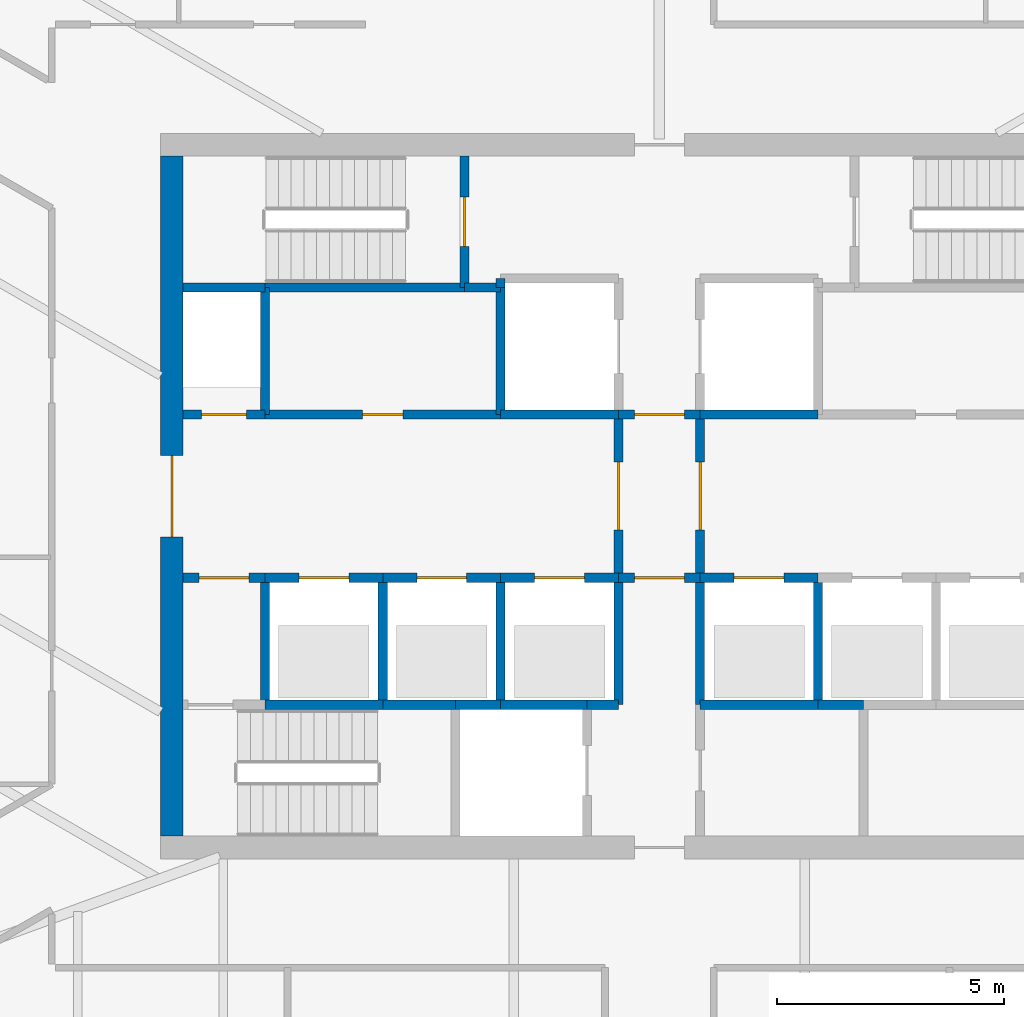
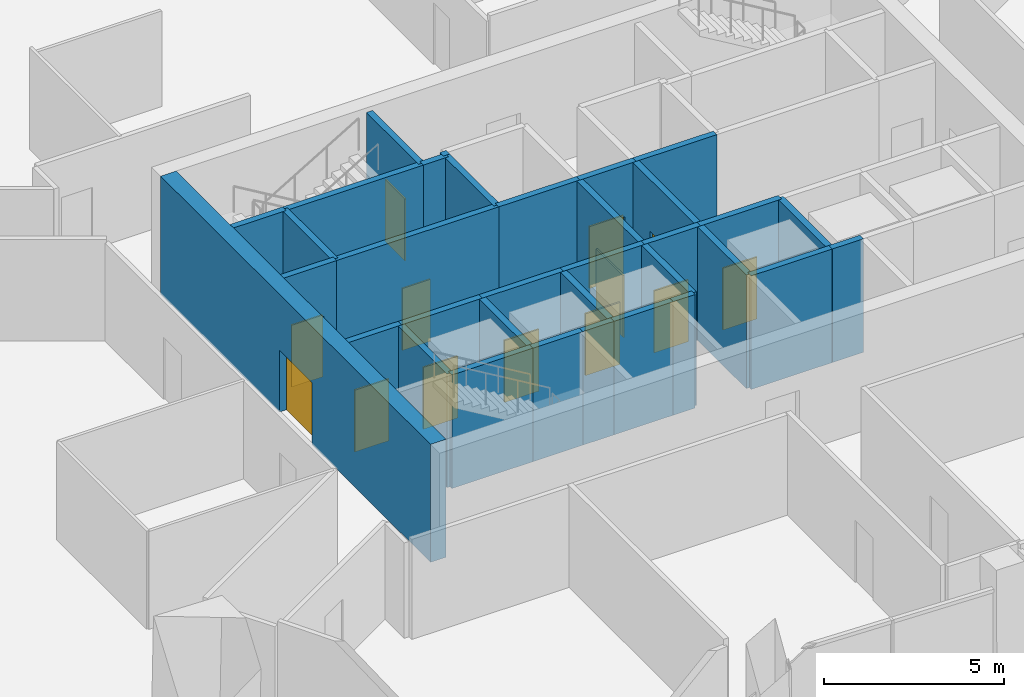
# One storey, part 9 of 15: 34 walls, 13 doors, 13 openings.
"""IFC4 building model written with IfcOpenShell, lengths in metres."""

import ifcopenshell
import ifcopenshell.guid

model = None  # the IFC model being written
_history = None  # IfcOwnerHistory: only IFC2X3 demands one
_inside = {}  # id of a spatial element -> (the spatial element, [elements in it])
_under = {}  # id of a project, library or spatial element -> (it, [spatial elements below it])
_declared = {}  # id of a project -> (the project, [libraries it declares])
_typed = {}  # id of a type object -> (the type object, [elements of that type])
_made_of = {}  # id of a material, layer set ... -> (it, [elements and type objects made of it])


def new_model(schema):
    """Start an empty IFC model of exactly this schema.

    Asked for "IFC4X3", IfcOpenShell would pick the latest addendum, in which some entities
    have other attributes; the version numbers below select the first issue.
    IFC2X3 requires an IfcOwnerHistory on every rooted entity: one is made here for all.
    """
    global model, _history
    if schema == "IFC4X3":
        model = ifcopenshell.file(schema_version=(4, 3, 0, 0))
    else:
        model = ifcopenshell.file(schema=schema)
    _inside.clear()
    _under.clear()
    _declared.clear()
    _typed.clear()
    _made_of.clear()
    _history = None
    if model.schema == "IFC2X3":
        org = make("IfcOrganization", Name="unknown")
        user = make(
            "IfcPersonAndOrganization",
            ThePerson=make("IfcPerson", FamilyName="unknown"),
            TheOrganization=org,
        )
        app = make(
            "IfcApplication",
            ApplicationDeveloper=org,
            Version="unknown",
            ApplicationFullName="unknown",
            ApplicationIdentifier="unknown",
        )
        _history = make(
            "IfcOwnerHistory",
            OwningUser=user,
            OwningApplication=app,
            ChangeAction="ADDED",
            CreationDate=0,
        )
    return model


def make(cls, **values):
    """One entity of the class cls with the attributes given. An attribute that is None is left unset."""
    return model.create_entity(
        cls, **{name: value for name, value in values.items() if value is not None}
    )


def rooted(cls, **values):
    """An entity with a GlobalId (a new one), such as an element, a storey or a relation."""
    return make(cls, GlobalId=ifcopenshell.guid.new(), OwnerHistory=_history, **values)


def si_unit(unit_type, name, prefix=None):
    """IfcSIUnit, for example si_unit("LENGTHUNIT", "METRE", prefix="MILLI")."""
    return make("IfcSIUnit", UnitType=unit_type, Prefix=prefix, Name=name)


def assignment(units):
    """IfcUnitAssignment: the units of a project."""
    return None if units is None else make("IfcUnitAssignment", Units=units)


def point(xyz):
    """IfcCartesianPoint."""
    return None if xyz is None else make("IfcCartesianPoint", Coordinates=xyz)


def direction(xyz):
    """IfcDirection."""
    return None if xyz is None else make("IfcDirection", DirectionRatios=xyz)


def frame(location, z_axis=None, x_axis=None):
    """IfcAxis2Placement3D, a coordinate frame: its origin and axes. An axis left out is left unset."""
    return make(
        "IfcAxis2Placement3D",
        Location=point(location),
        Axis=direction(z_axis),
        RefDirection=direction(x_axis),
    )


def frame_2d(location, x_axis=None):
    """IfcAxis2Placement2D, a coordinate frame in the plane: its origin and x axis."""
    return make(
        "IfcAxis2Placement2D", Location=point(location), RefDirection=direction(x_axis)
    )


def origin():
    """The frame at (0, 0, 0) with its axes left unset."""
    return frame((0.0, 0.0, 0.0))


def place(relative_to, where):
    """IfcLocalPlacement: puts the frame where relative to a parent placement (None: the world)."""
    return make(
        "IfcLocalPlacement", PlacementRelTo=relative_to, RelativePlacement=where
    )


def context(
    kind, dimensions, precision=None, world=None, true_north=None, identifier=None
):
    """IfcGeometricRepresentationContext, for example the 3D "Model" context."""
    return make(
        "IfcGeometricRepresentationContext",
        ContextIdentifier=identifier,
        ContextType=kind,
        CoordinateSpaceDimension=dimensions,
        Precision=precision,
        WorldCoordinateSystem=world,
        TrueNorth=true_north,
    )


def subcontext(parent, identifier, kind, view, scale=None):
    """IfcGeometricRepresentationSubContext, for example "Body" below "Model"."""
    return make(
        "IfcGeometricRepresentationSubContext",
        ContextIdentifier=identifier,
        ContextType=kind,
        ParentContext=parent,
        TargetScale=scale,
        TargetView=view,
    )


def project(units=None, contexts=None):
    """IfcProject with its units and contexts."""
    return rooted(
        "IfcProject",
        Name="project",
        RepresentationContexts=contexts,
        UnitsInContext=assignment(units),
    )


def spatial(cls, under=None, at=None, **own):
    """A site, building, storey or space (cls), placed at a placement, below another one or the project."""
    s = rooted(cls, ObjectPlacement=at, **own)
    if under is not None:
        _under.setdefault(under.id(), (under, []))[1].append(s)
    return s


def profile(cls, at=None, kind="AREA", **sizes):
    """A parametric profile (cls). Its sizes go by their IFC names, for example OverallWidth=200.0."""
    return make(cls, ProfileType=kind, Position=at, **sizes)


def rectangle(**sizes):
    """IfcRectangleProfileDef."""
    return profile("IfcRectangleProfileDef", **sizes)


def extrude(swept, where, along, depth):
    """IfcExtrudedAreaSolid: the profile swept, set in the frame where, extruded along a direction by depth."""
    return make(
        "IfcExtrudedAreaSolid",
        SweptArea=swept,
        Position=where,
        ExtrudedDirection=direction(along),
        Depth=depth,
    )


def shape(context_of_items, identifier, shape_type, items):
    """IfcShapeRepresentation: the items that make up one representation, for example the "Body"."""
    return make(
        "IfcShapeRepresentation",
        ContextOfItems=context_of_items,
        RepresentationIdentifier=identifier,
        RepresentationType=shape_type,
        Items=items,
    )


def material(Name=None, Category=None):
    """IfcMaterial."""
    return make("IfcMaterial", Name=Name, Category=Category)


def layer(
    of_material, thickness, ventilated=None, Name=None, Category=None, Priority=None
):
    """IfcMaterialLayer: one layer of a wall or slab, of a material (None: an air gap)."""
    return make(
        "IfcMaterialLayer",
        Material=of_material,
        LayerThickness=thickness,
        IsVentilated=ventilated,
        Name=Name,
        Category=Category,
        Priority=Priority,
    )


def layer_set(layers, Name=None):
    """IfcMaterialLayerSet."""
    return make("IfcMaterialLayerSet", MaterialLayers=layers, LayerSetName=Name)


def made_of(thing, what):
    """Note that an element or type object is made of a material, layer set ...; save() writes the relation."""
    if what is not None:
        _made_of.setdefault(what.id(), (what, []))[1].append(thing)
    return thing


def type_object(cls, material=None, **own):
    """A type object (cls), such as IfcWallType, which elements share."""
    return made_of(rooted(cls, **own), material)


def element(
    cls,
    number,
    at=None,
    inside=None,
    cuts=None,
    type_object=None,
    material=None,
    context=None,
    identifier="Body",
    shape_type=None,
    held_by="IfcProductDefinitionShape",
    body=None,
    shapes=None,
    **own,
):
    """One element of the class cls, such as IfcWall. Its Tag is "e" and its number.

    at: its placement. inside: the storey or other place that contains it. cuts: it is an
    opening in that element (IfcRelVoidsElement). A single representation is given by context,
    identifier, shape_type and body (its items); several are given by shapes. held_by: the class
    of the entity that holds the representations. save() writes the other relations.
    """
    e = rooted(cls, Tag="e%d" % number, ObjectPlacement=at, **own)
    if body is not None:
        shapes = [shape(context, identifier, shape_type, body)]
    if shapes is not None:
        e.Representation = make(held_by, Representations=shapes)
    if inside is not None:
        _inside.setdefault(inside.id(), (inside, []))[1].append(e)
    if cuts is not None:
        rooted(
            "IfcRelVoidsElement", RelatingBuildingElement=cuts, RelatedOpeningElement=e
        )
    if type_object is not None:
        _typed.setdefault(type_object.id(), (type_object, []))[1].append(e)
    return made_of(e, material)


def fill(opening, filler):
    """IfcRelFillsElement: the door or window that sits in an opening."""
    return rooted(
        "IfcRelFillsElement",
        RelatingOpeningElement=opening,
        RelatedBuildingElement=filler,
    )


def aggregate(whole, parts):
    """IfcRelAggregates: a whole, such as a stair, and the parts it consists of."""
    return rooted("IfcRelAggregates", RelatingObject=whole, RelatedObjects=parts)


def save(model, path):
    """Write the relations noted so far, then the file.

    IfcRelAggregates (storeys below a building ...), IfcRelContainedInSpatialStructure (elements
    in a storey), IfcRelDefinesByType, IfcRelAssociatesMaterial and IfcRelDeclares: one each for
    every whole, place, type object, material and project.
    """
    for whole, parts in _under.values():
        aggregate(whole, parts)
    for where, things in _inside.values():
        rooted(
            "IfcRelContainedInSpatialStructure",
            RelatedElements=things,
            RelatingStructure=where,
        )
    for kind, things in _typed.values():
        rooted("IfcRelDefinesByType", RelatedObjects=things, RelatingType=kind)
    for what, things in _made_of.values():
        rooted("IfcRelAssociatesMaterial", RelatedObjects=things, RelatingMaterial=what)
    for by, libraries in _declared.values():
        rooted("IfcRelDeclares", RelatingContext=by, RelatedDefinitions=libraries)
    model.write(path)


model = new_model("IFC4")

# Units and contexts
model_context = context("Model", 3, precision=1e-05, world=origin(), true_north=direction((0.0, 1.0)))
body_context = subcontext(model_context, "Body", "Model", "MODEL_VIEW")
ifc_project = project(units=[si_unit("LENGTHUNIT", "METRE"), si_unit("AREAUNIT", "SQUARE_METRE"), si_unit("VOLUMEUNIT", "CUBIC_METRE"), si_unit("PLANEANGLEUNIT", "RADIAN"), si_unit("MASSUNIT", "GRAM", prefix="KILO")], contexts=[model_context])

# Site, building, storey
site_placement = place(None, origin())
site = spatial("IfcSite", under=ifc_project, at=site_placement, CompositionType="ELEMENT")
building_placement = place(site_placement, origin())
building = spatial("IfcBuilding", under=site, at=building_placement, Name="Sierra Prisma Convention Tower", CompositionType="ELEMENT")
storey_placement = place(building_placement, frame((0.0, 0.0, 283.0)))
storey = spatial("IfcBuildingStorey", under=building, at=storey_placement, Name="L64", CompositionType="ELEMENT", Elevation=283.0)

# Wall, opening, door
ifc_material_1 = material(Name="Concrete C30/37", Category="concrete")
ifc_layer_1 = layer(ifc_material_1, 0.199951171875)
ifc_layer_set_1 = layer_set([ifc_layer_1], Name="Core wall RC 200 C30/37")
wall_type_1 = type_object("IfcWallType", Name="Core wall RC 200 C30/37", PredefinedType="SOLIDWALL", material=ifc_layer_set_1)
wall_1_placement = place(storey_placement, frame((-10.5, -1.800048828125, 0.0), z_axis=(0.0, 0.0, 1.0), x_axis=(1.0, 0.0, 0.0)))
wall_1 = element("IfcWall", 1, at=wall_1_placement, inside=storey, type_object=wall_type_1, Name="Core wall L64 2", PredefinedType="SOLIDWALL", context=body_context, shape_type="SweptSolid", body=[
    extrude(rectangle(XDim=1.800048828125, YDim=0.199951171875, at=frame_2d((0.89990234375, 0.0))), origin(), (0.0, 0.0, 1.0), 3.85009765625),
])
opening_1_placement = place(wall_1_placement, frame((0.35009765625, 0.0, 0.0)))
opening_1 = element("IfcOpeningElement", 2, at=opening_1_placement, cuts=wall_1, Name="Opening L64-D012", PredefinedType="OPENING", context=body_context, shape_type="SweptSolid", body=[
    extrude(rectangle(XDim=1.10009765625, YDim=2.10009765625, at=frame_2d((0.550048828125, 1.050048828125))), frame((0.0, 0.10009765625, 0.0), z_axis=(0.0, -1.0, 0.0), x_axis=(1.0, 0.0, 0.0)), (0.0, 0.0, 1.0), 0.199951171875),
])
ifc_material_2 = material(Name="Steel fire door leaf", Category="steel")
door_type_1 = type_object("IfcDoorType", Name="Door 1100x2100 FD90S", OperationType="SINGLE_SWING_LEFT", PredefinedType="DOOR", material=ifc_material_2)
door_1_placement = place(opening_1_placement, origin())
door_1 = element("IfcDoor", 3, at=door_1_placement, inside=storey, type_object=door_type_1, Name="Door L64 27", OperationType="SINGLE_SWING_LEFT", OverallHeight=2.10009765625, OverallWidth=1.10009765625, PredefinedType="DOOR", context=body_context, shape_type="SweptSolid", body=[
    extrude(rectangle(XDim=1.10009765625, YDim=2.10009765625, at=frame_2d((0.550048828125, 1.050048828125))), frame((0.0, 0.02490234375, 0.0), z_axis=(0.0, -1.0, 0.0), x_axis=(1.0, 0.0, 0.0)), (0.0, 0.0, 1.0), 0.050048828125),
])
fill(opening_1, door_1)

wall_2_placement = place(storey_placement, frame((-8.699951171875, 1.800048828125, 0.0), z_axis=(0.0, 0.0, 1.0), x_axis=(-1.0, 0.0, 0.0)))
wall_2 = element("IfcWall", 4, at=wall_2_placement, inside=storey, type_object=wall_type_1, Name="Core wall L64 3", PredefinedType="SOLIDWALL", context=body_context, shape_type="SweptSolid", body=[
    extrude(rectangle(XDim=1.800048828125, YDim=0.199951171875, at=frame_2d((0.89990234375, 0.0))), origin(), (0.0, 0.0, 1.0), 3.85009765625),
])
opening_2_placement = place(wall_2_placement, frame((0.39990234375, 0.0, 0.0)))
opening_2 = element("IfcOpeningElement", 5, at=opening_2_placement, cuts=wall_2, Name="Opening L64-D015", PredefinedType="OPENING", context=body_context, shape_type="SweptSolid", body=[
    extrude(rectangle(XDim=1.0, YDim=2.10009765625, at=frame_2d((0.5, 1.050048828125))), frame((0.0, 0.10009765625, 0.0), z_axis=(0.0, -1.0, 0.0), x_axis=(1.0, 0.0, 0.0)), (0.0, 0.0, 1.0), 0.199951171875),
])
ifc_material_3 = material(Name="Steel fire door leaf", Category="steel")
door_type_2 = type_object("IfcDoorType", Name="Door 1000x2100 FD60S", OperationType="SINGLE_SWING_LEFT", PredefinedType="DOOR", material=ifc_material_3)
door_2_placement = place(opening_2_placement, origin())
door_2 = element("IfcDoor", 6, at=door_2_placement, inside=storey, type_object=door_type_2, Name="Door L64 30", OperationType="SINGLE_SWING_RIGHT", OverallHeight=2.10009765625, OverallWidth=1.0, PredefinedType="DOOR", context=body_context, shape_type="SweptSolid", body=[
    extrude(rectangle(XDim=1.0, YDim=2.10009765625, at=frame_2d((0.5, 1.050048828125))), frame((0.0, 0.02490234375, 0.0), z_axis=(0.0, -1.0, 0.0), x_axis=(1.0, 0.0, 0.0)), (0.0, 0.0, 1.0), 0.050048828125),
])
fill(opening_2, door_2)

# Walls
wall_3_placement = place(storey_placement, frame((-8.699951171875, 4.60009765625, 0.0), z_axis=(0.0, 0.0, 1.0), x_axis=(-1.0, 0.0, 0.0)))
element("IfcWall", 7, at=wall_3_placement, inside=storey, type_object=wall_type_1, Name="Core wall L64 4", PredefinedType="SOLIDWALL", context=body_context, shape_type="SweptSolid", body=[
    extrude(rectangle(XDim=1.800048828125, YDim=0.199951171875, at=frame_2d((0.89990234375, 0.0))), origin(), (0.0, 0.0, 1.0), 3.85009765625),
])
wall_4_placement = place(storey_placement, frame((-8.699951171875, -4.60009765625, 0.0), z_axis=(0.0, 0.0, 1.0), x_axis=(1.0, 0.0, 0.0)))
element("IfcWall", 8, at=wall_4_placement, inside=storey, type_object=wall_type_1, Name="Core wall L64 5", PredefinedType="SOLIDWALL", context=body_context, shape_type="SweptSolid", body=[
    extrude(rectangle(XDim=2.599853515625, YDim=0.199951171875, at=frame_2d((1.2998046875, 0.0))), origin(), (0.0, 0.0, 1.0), 3.85009765625),
])
wall_5_placement = place(storey_placement, frame((-8.699951171875, -4.60009765625, 0.0), z_axis=(0.0, 0.0, 1.0), x_axis=(0.0, 1.0, 0.0)))
element("IfcWall", 9, at=wall_5_placement, inside=storey, type_object=wall_type_1, Name="Core wall L64 6", PredefinedType="SOLIDWALL", context=body_context, shape_type="SweptSolid", body=[
    extrude(rectangle(XDim=2.800048828125, YDim=0.199951171875, at=frame_2d((1.39990234375, 0.0))), origin(), (0.0, 0.0, 1.0), 3.85009765625),
])

# Wall, opening, door
wall_6_placement = place(storey_placement, frame((-8.699951171875, -1.800048828125, 0.0), z_axis=(0.0, 0.0, 1.0), x_axis=(1.0, 0.0, 0.0)))
wall_6 = element("IfcWall", 10, at=wall_6_placement, inside=storey, type_object=wall_type_1, Name="Core wall L64 7", PredefinedType="SOLIDWALL", context=body_context, shape_type="SweptSolid", body=[
    extrude(rectangle(XDim=2.599853515625, YDim=0.199951171875, at=frame_2d((1.2998046875, 0.0))), origin(), (0.0, 0.0, 1.0), 3.85009765625),
])
opening_3_placement = place(wall_6_placement, frame((0.75, 0.0, 0.0)))
opening_3 = element("IfcOpeningElement", 11, at=opening_3_placement, cuts=wall_6, Name="Opening L64-D001", PredefinedType="OPENING", context=body_context, shape_type="SweptSolid", body=[
    extrude(rectangle(XDim=1.10009765625, YDim=2.10009765625, at=frame_2d((0.550048828125, 1.050048828125))), frame((0.0, 0.10009765625, 0.0), z_axis=(0.0, -1.0, 0.0), x_axis=(1.0, 0.0, 0.0)), (0.0, 0.0, 1.0), 0.199951171875),
])
ifc_material_4 = material(Name="Steel fire door leaf", Category="steel")
door_type_3 = type_object("IfcDoorType", Name="Door 1100x2100 EI 90 sliding lift landing", OperationType="SLIDING_TO_LEFT", PredefinedType="DOOR", material=ifc_material_4)
door_3_placement = place(opening_3_placement, origin())
door_3 = element("IfcDoor", 12, at=door_3_placement, inside=storey, type_object=door_type_3, Name="Door L64 16", OperationType="SLIDING_TO_LEFT", OverallHeight=2.10009765625, OverallWidth=1.10009765625, PredefinedType="DOOR", context=body_context, shape_type="SweptSolid", body=[
    extrude(rectangle(XDim=1.10009765625, YDim=2.10009765625, at=frame_2d((0.550048828125, 1.050048828125))), frame((0.0, 0.02490234375, 0.0), z_axis=(0.0, -1.0, 0.0), x_axis=(1.0, 0.0, 0.0)), (0.0, 0.0, 1.0), 0.050048828125),
])
fill(opening_3, door_3)

wall_7_placement = place(storey_placement, frame((-8.699951171875, 1.800048828125, 0.0), z_axis=(0.0, 0.0, 1.0), x_axis=(1.0, 0.0, 0.0)))
wall_7 = element("IfcWall", 13, at=wall_7_placement, inside=storey, type_object=wall_type_1, Name="Core wall L64 8", PredefinedType="SOLIDWALL", context=body_context, shape_type="SweptSolid", body=[
    extrude(rectangle(XDim=5.199951171875, YDim=0.199951171875, at=frame_2d((2.60009765625, 0.0))), origin(), (0.0, 0.0, 1.0), 3.85009765625),
])
opening_4_placement = place(wall_7_placement, frame((2.14990234375, 0.0, 0.0)))
opening_4 = element("IfcOpeningElement", 14, at=opening_4_placement, cuts=wall_7, Name="Opening L64-D021", PredefinedType="OPENING", context=body_context, shape_type="SweptSolid", body=[
    extrude(rectangle(XDim=0.89990234375, YDim=2.10009765625, at=frame_2d((0.449951171875, 1.050048828125))), frame((0.0, 0.10009765625, 0.0), z_axis=(0.0, -1.0, 0.0), x_axis=(1.0, 0.0, 0.0)), (0.0, 0.0, 1.0), 0.199951171875),
])
ifc_material_5 = material(Name="Steel fire door leaf", Category="steel")
door_type_4 = type_object("IfcDoorType", Name="Door 900x2100 FD30S", OperationType="SINGLE_SWING_LEFT", PredefinedType="DOOR", material=ifc_material_5)
door_4_placement = place(opening_4_placement, origin())
door_4 = element("IfcDoor", 15, at=door_4_placement, inside=storey, type_object=door_type_4, Name="Door L64 36", OperationType="SINGLE_SWING_RIGHT", OverallHeight=2.10009765625, OverallWidth=0.89990234375, PredefinedType="DOOR", context=body_context, shape_type="SweptSolid", body=[
    extrude(rectangle(XDim=0.89990234375, YDim=2.10009765625, at=frame_2d((0.449951171875, 1.050048828125))), frame((0.0, 0.02490234375, 0.0), z_axis=(0.0, -1.0, 0.0), x_axis=(1.0, 0.0, 0.0)), (0.0, 0.0, 1.0), 0.050048828125),
])
fill(opening_4, door_4)

# Walls
wall_8_placement = place(storey_placement, frame((-8.699951171875, 4.60009765625, 0.0), z_axis=(0.0, 0.0, 1.0), x_axis=(0.0, -1.0, 0.0)))
element("IfcWall", 16, at=wall_8_placement, inside=storey, type_object=wall_type_1, Name="Core wall L64 9", PredefinedType="SOLIDWALL", context=body_context, shape_type="SweptSolid", body=[
    extrude(rectangle(XDim=2.800048828125, YDim=0.199951171875, at=frame_2d((1.39990234375, 0.0))), origin(), (0.0, 0.0, 1.0), 3.85009765625),
])
wall_9_placement = place(storey_placement, frame((-4.300048828125, 4.60009765625, 0.0), z_axis=(0.0, 0.0, 1.0), x_axis=(-1.0, 0.0, 0.0)))
element("IfcWall", 17, at=wall_9_placement, inside=storey, type_object=wall_type_1, Name="Core wall L64 10", PredefinedType="SOLIDWALL", context=body_context, shape_type="SweptSolid", body=[
    extrude(rectangle(XDim=4.39990234375, YDim=0.199951171875, at=frame_2d((2.199951171875, 0.0))), origin(), (0.0, 0.0, 1.0), 3.85009765625),
])
wall_10_placement = place(storey_placement, frame((-6.10009765625, -4.60009765625, 0.0), z_axis=(0.0, 0.0, 1.0), x_axis=(1.0, 0.0, 0.0)))
element("IfcWall", 18, at=wall_10_placement, inside=storey, type_object=wall_type_1, Name="Core wall L64 11", PredefinedType="SOLIDWALL", context=body_context, shape_type="SweptSolid", body=[
    extrude(rectangle(XDim=1.60009765625, YDim=0.199951171875, at=frame_2d((0.800048828125, 0.0))), origin(), (0.0, 0.0, 1.0), 3.85009765625),
])
wall_11_placement = place(storey_placement, frame((-6.10009765625, -4.60009765625, 0.0), z_axis=(0.0, 0.0, 1.0), x_axis=(0.0, 1.0, 0.0)))
element("IfcWall", 19, at=wall_11_placement, inside=storey, type_object=wall_type_1, Name="Core wall L64 12", PredefinedType="SOLIDWALL", context=body_context, shape_type="SweptSolid", body=[
    extrude(rectangle(XDim=2.800048828125, YDim=0.199951171875, at=frame_2d((1.39990234375, 0.0))), origin(), (0.0, 0.0, 1.0), 3.85009765625),
])

# Wall, opening, door
wall_12_placement = place(storey_placement, frame((-6.10009765625, -1.800048828125, 0.0), z_axis=(0.0, 0.0, 1.0), x_axis=(1.0, 0.0, 0.0)))
wall_12 = element("IfcWall", 20, at=wall_12_placement, inside=storey, type_object=wall_type_1, Name="Core wall L64 13", PredefinedType="SOLIDWALL", context=body_context, shape_type="SweptSolid", body=[
    extrude(rectangle(XDim=2.60009765625, YDim=0.199951171875, at=frame_2d((1.300048828125, 0.0))), origin(), (0.0, 0.0, 1.0), 3.85009765625),
])
opening_5_placement = place(wall_12_placement, frame((0.75, 0.0, 0.0)))
opening_5 = element("IfcOpeningElement", 21, at=opening_5_placement, cuts=wall_12, Name="Opening L64-D002", PredefinedType="OPENING", context=body_context, shape_type="SweptSolid", body=[
    extrude(rectangle(XDim=1.10009765625, YDim=2.10009765625, at=frame_2d((0.550048828125, 1.050048828125))), frame((0.0, 0.10009765625, 0.0), z_axis=(0.0, -1.0, 0.0), x_axis=(1.0, 0.0, 0.0)), (0.0, 0.0, 1.0), 0.199951171875),
])
door_5_placement = place(opening_5_placement, origin())
door_5 = element("IfcDoor", 22, at=door_5_placement, inside=storey, type_object=door_type_3, Name="Door L64 17", OperationType="SLIDING_TO_LEFT", OverallHeight=2.10009765625, OverallWidth=1.10009765625, PredefinedType="DOOR", context=body_context, shape_type="SweptSolid", body=[
    extrude(rectangle(XDim=1.10009765625, YDim=2.10009765625, at=frame_2d((0.550048828125, 1.050048828125))), frame((0.0, 0.02490234375, 0.0), z_axis=(0.0, -1.0, 0.0), x_axis=(1.0, 0.0, 0.0)), (0.0, 0.0, 1.0), 0.050048828125),
])
fill(opening_5, door_5)

# Walls
wall_13_placement = place(storey_placement, frame((-4.5, -4.60009765625, 0.0), z_axis=(0.0, 0.0, 1.0), x_axis=(1.0, 0.0, 0.0)))
element("IfcWall", 23, at=wall_13_placement, inside=storey, type_object=wall_type_1, Name="Core wall L64 15", PredefinedType="SOLIDWALL", context=body_context, shape_type="SweptSolid", body=[
    extrude(rectangle(XDim=1.0, YDim=0.199951171875, at=frame_2d((0.5, 0.0))), origin(), (0.0, 0.0, 1.0), 3.85009765625),
])
wall_14_placement = place(storey_placement, frame((-3.5, 4.60009765625, 0.0), z_axis=(0.0, 0.0, 1.0), x_axis=(-1.0, 0.0, 0.0)))
element("IfcWall", 24, at=wall_14_placement, inside=storey, type_object=wall_type_1, Name="Core wall L64 16", PredefinedType="SOLIDWALL", context=body_context, shape_type="SweptSolid", body=[
    extrude(rectangle(XDim=0.800048828125, YDim=0.199951171875, at=frame_2d((0.39990234375, 0.0))), origin(), (0.0, 0.0, 1.0), 3.85009765625),
])

# Wall, opening, door
wall_15_placement = place(storey_placement, frame((-4.300048828125, 4.60009765625, 0.0), z_axis=(0.0, 0.0, 1.0), x_axis=(0.0, 1.0, 0.0)))
wall_15 = element("IfcWall", 25, at=wall_15_placement, inside=storey, type_object=wall_type_1, Name="Core wall L64 17", PredefinedType="SOLIDWALL", context=body_context, shape_type="SweptSolid", body=[
    extrude(rectangle(XDim=2.89990234375, YDim=0.199951171875, at=frame_2d((1.449951171875, 0.0))), origin(), (0.0, 0.0, 1.0), 3.85009765625),
])
opening_6_placement = place(wall_15_placement, frame((0.89990234375, 0.0, 0.0)))
opening_6 = element("IfcOpeningElement", 26, at=opening_6_placement, cuts=wall_15, Name="Opening L64-D018", PredefinedType="OPENING", context=body_context, shape_type="SweptSolid", body=[
    extrude(rectangle(XDim=1.10009765625, YDim=2.10009765625, at=frame_2d((0.550048828125, 1.050048828125))), frame((0.0, 0.10009765625, 0.0), z_axis=(0.0, -1.0, 0.0), x_axis=(1.0, 0.0, 0.0)), (0.0, 0.0, 1.0), 0.199951171875),
])
door_6_placement = place(opening_6_placement, origin())
door_6 = element("IfcDoor", 27, at=door_6_placement, inside=storey, type_object=door_type_1, Name="Door L64 33", OperationType="SINGLE_SWING_RIGHT", OverallHeight=2.10009765625, OverallWidth=1.10009765625, PredefinedType="DOOR", context=body_context, shape_type="SweptSolid", body=[
    extrude(rectangle(XDim=1.10009765625, YDim=2.10009765625, at=frame_2d((0.550048828125, 1.050048828125))), frame((0.0, 0.02490234375, 0.0), z_axis=(0.0, -1.0, 0.0), x_axis=(1.0, 0.0, 0.0)), (0.0, 0.0, 1.0), 0.050048828125),
])
fill(opening_6, door_6)

# Walls
wall_16_placement = place(storey_placement, frame((-3.5, -4.60009765625, 0.0), z_axis=(0.0, 0.0, 1.0), x_axis=(1.0, 0.0, 0.0)))
element("IfcWall", 28, at=wall_16_placement, inside=storey, type_object=wall_type_1, Name="Core wall L64 18", PredefinedType="SOLIDWALL", context=body_context, shape_type="SweptSolid", body=[
    extrude(rectangle(XDim=1.89990234375, YDim=0.199951171875, at=frame_2d((0.949951171875, 0.0))), origin(), (0.0, 0.0, 1.0), 3.85009765625),
])
wall_17_placement = place(storey_placement, frame((-3.5, -4.60009765625, 0.0), z_axis=(0.0, 0.0, 1.0), x_axis=(0.0, 1.0, 0.0)))
element("IfcWall", 29, at=wall_17_placement, inside=storey, type_object=wall_type_1, Name="Core wall L64 19", PredefinedType="SOLIDWALL", context=body_context, shape_type="SweptSolid", body=[
    extrude(rectangle(XDim=2.800048828125, YDim=0.199951171875, at=frame_2d((1.39990234375, 0.0))), origin(), (0.0, 0.0, 1.0), 3.85009765625),
])

# Wall, opening, door
wall_18_placement = place(storey_placement, frame((-3.5, -1.800048828125, 0.0), z_axis=(0.0, 0.0, 1.0), x_axis=(1.0, 0.0, 0.0)))
wall_18 = element("IfcWall", 30, at=wall_18_placement, inside=storey, type_object=wall_type_1, Name="Core wall L64 20", PredefinedType="SOLIDWALL", context=body_context, shape_type="SweptSolid", body=[
    extrude(rectangle(XDim=2.60009765625, YDim=0.199951171875, at=frame_2d((1.300048828125, 0.0))), origin(), (0.0, 0.0, 1.0), 3.85009765625),
])
opening_7_placement = place(wall_18_placement, frame((0.75, 0.0, 0.0)))
opening_7 = element("IfcOpeningElement", 31, at=opening_7_placement, cuts=wall_18, Name="Opening L64-D003", PredefinedType="OPENING", context=body_context, shape_type="SweptSolid", body=[
    extrude(rectangle(XDim=1.10009765625, YDim=2.10009765625, at=frame_2d((0.550048828125, 1.050048828125))), frame((0.0, 0.10009765625, 0.0), z_axis=(0.0, -1.0, 0.0), x_axis=(1.0, 0.0, 0.0)), (0.0, 0.0, 1.0), 0.199951171875),
])
door_7_placement = place(opening_7_placement, origin())
door_7 = element("IfcDoor", 32, at=door_7_placement, inside=storey, type_object=door_type_3, Name="Door L64 18", OperationType="SLIDING_TO_LEFT", OverallHeight=2.10009765625, OverallWidth=1.10009765625, PredefinedType="DOOR", context=body_context, shape_type="SweptSolid", body=[
    extrude(rectangle(XDim=1.10009765625, YDim=2.10009765625, at=frame_2d((0.550048828125, 1.050048828125))), frame((0.0, 0.02490234375, 0.0), z_axis=(0.0, -1.0, 0.0), x_axis=(1.0, 0.0, 0.0)), (0.0, 0.0, 1.0), 0.050048828125),
])
fill(opening_7, door_7)

# Walls
wall_19_placement = place(storey_placement, frame((-0.89990234375, 1.800048828125, 0.0), z_axis=(0.0, 0.0, 1.0), x_axis=(-1.0, 0.0, 0.0)))
element("IfcWall", 33, at=wall_19_placement, inside=storey, type_object=wall_type_1, Name="Core wall L64 21", PredefinedType="SOLIDWALL", context=body_context, shape_type="SweptSolid", body=[
    extrude(rectangle(XDim=2.60009765625, YDim=0.199951171875, at=frame_2d((1.300048828125, 0.0))), origin(), (0.0, 0.0, 1.0), 3.85009765625),
])
wall_20_placement = place(storey_placement, frame((-3.5, 1.800048828125, 0.0), z_axis=(0.0, 0.0, 1.0), x_axis=(0.0, 1.0, 0.0)))
element("IfcWall", 34, at=wall_20_placement, inside=storey, type_object=wall_type_1, Name="Core wall L64 22", PredefinedType="SOLIDWALL", context=body_context, shape_type="SweptSolid", body=[
    extrude(rectangle(XDim=2.800048828125, YDim=0.199951171875, at=frame_2d((1.39990234375, 0.0))), origin(), (0.0, 0.0, 1.0), 3.85009765625),
])
wall_21_placement = place(storey_placement, frame((-3.5, 4.800048828125, 0.0), z_axis=(0.0, 0.0, 1.0), x_axis=(0.0, -1.0, 0.0)))
element("IfcWall", 35, at=wall_21_placement, inside=storey, type_object=wall_type_1, Name="Core wall L64 25", PredefinedType="SOLIDWALL", context=body_context, shape_type="SweptSolid", body=[
    extrude(rectangle(XDim=0.199951171875, YDim=0.199951171875, at=frame_2d((0.10009765625, 0.0))), origin(), (0.0, 0.0, 1.0), 3.85009765625),
])
wall_22_placement = place(storey_placement, frame((-1.60009765625, -4.60009765625, 0.0), z_axis=(0.0, 0.0, 1.0), x_axis=(1.0, 0.0, 0.0)))
element("IfcWall", 36, at=wall_22_placement, inside=storey, type_object=wall_type_1, Name="Core wall L64 27", PredefinedType="SOLIDWALL", context=body_context, shape_type="SweptSolid", body=[
    extrude(rectangle(XDim=0.7001953125, YDim=0.199951171875, at=frame_2d((0.35009765625, 0.0))), origin(), (0.0, 0.0, 1.0), 3.85009765625),
])
wall_23_placement = place(storey_placement, frame((-0.89990234375, -4.60009765625, 0.0), z_axis=(0.0, 0.0, 1.0), x_axis=(0.0, 1.0, 0.0)))
element("IfcWall", 37, at=wall_23_placement, inside=storey, type_object=wall_type_1, Name="Core wall L64 28", PredefinedType="SOLIDWALL", context=body_context, shape_type="SweptSolid", body=[
    extrude(rectangle(XDim=2.800048828125, YDim=0.199951171875, at=frame_2d((1.39990234375, 0.0))), origin(), (0.0, 0.0, 1.0), 3.85009765625),
])

# Wall, opening, door
wall_24_placement = place(storey_placement, frame((-0.89990234375, -1.800048828125, 0.0), z_axis=(0.0, 0.0, 1.0), x_axis=(1.0, 0.0, 0.0)))
wall_24 = element("IfcWall", 38, at=wall_24_placement, inside=storey, type_object=wall_type_1, Name="Core wall L64 29", PredefinedType="SOLIDWALL", context=body_context, shape_type="SweptSolid", body=[
    extrude(rectangle(XDim=1.7998046875, YDim=0.199951171875, at=frame_2d((0.89990234375, 0.0))), origin(), (0.0, 0.0, 1.0), 3.85009765625),
])
opening_8_placement = place(wall_24_placement, frame((0.35009765625, 0.0, 0.0)))
opening_8 = element("IfcOpeningElement", 39, at=opening_8_placement, cuts=wall_24, Name="Opening L64-D014", PredefinedType="OPENING", context=body_context, shape_type="SweptSolid", body=[
    extrude(rectangle(XDim=1.10009765625, YDim=2.10009765625, at=frame_2d((0.550048828125, 1.050048828125))), frame((0.0, 0.10009765625, 0.0), z_axis=(0.0, -1.0, 0.0), x_axis=(1.0, 0.0, 0.0)), (0.0, 0.0, 1.0), 0.199951171875),
])
ifc_material_6 = material(Name="Steel fire door leaf", Category="steel")
door_type_5 = type_object("IfcDoorType", Name="Door 1100x2100 FD30S", OperationType="SINGLE_SWING_LEFT", PredefinedType="DOOR", material=ifc_material_6)
door_8_placement = place(opening_8_placement, origin())
door_8 = element("IfcDoor", 40, at=door_8_placement, inside=storey, type_object=door_type_5, Name="Door L64 29", OperationType="SINGLE_SWING_RIGHT", OverallHeight=2.10009765625, OverallWidth=1.10009765625, PredefinedType="DOOR", context=body_context, shape_type="SweptSolid", body=[
    extrude(rectangle(XDim=1.10009765625, YDim=2.10009765625, at=frame_2d((0.550048828125, 1.050048828125))), frame((0.0, 0.02490234375, 0.0), z_axis=(0.0, -1.0, 0.0), x_axis=(1.0, 0.0, 0.0)), (0.0, 0.0, 1.0), 0.050048828125),
])
fill(opening_8, door_8)

wall_25_placement = place(storey_placement, frame((-0.89990234375, 1.800048828125, 0.0), z_axis=(0.0, 0.0, 1.0), x_axis=(0.0, -1.0, 0.0)))
wall_25 = element("IfcWall", 41, at=wall_25_placement, inside=storey, type_object=wall_type_1, Name="Core wall L64 30", PredefinedType="SOLIDWALL", context=body_context, shape_type="SweptSolid", body=[
    extrude(rectangle(XDim=3.60009765625, YDim=0.199951171875, at=frame_2d((1.800048828125, 0.0))), origin(), (0.0, 0.0, 1.0), 3.85009765625),
])
opening_9_placement = place(wall_25_placement, frame((1.050048828125, 0.0, 0.0)))
opening_9 = element("IfcOpeningElement", 42, at=opening_9_placement, cuts=wall_25, Name="Opening L64-D010", PredefinedType="OPENING", context=body_context, shape_type="SweptSolid", body=[
    extrude(rectangle(XDim=1.5, YDim=2.10009765625, at=frame_2d((0.75, 1.050048828125))), frame((0.0, 0.10009765625, 0.0), z_axis=(0.0, -1.0, 0.0), x_axis=(1.0, 0.0, 0.0)), (0.0, 0.0, 1.0), 0.199951171875),
])
ifc_material_7 = material(Name="Steel fire door leaf", Category="steel")
door_type_6 = type_object("IfcDoorType", Name="Door 1500x2100 FD30S", OperationType="DOUBLE_DOOR_SINGLE_SWING", PredefinedType="DOOR", material=ifc_material_7)
door_9_placement = place(opening_9_placement, origin())
door_9 = element("IfcDoor", 43, at=door_9_placement, inside=storey, type_object=door_type_6, Name="Door L64 25", OperationType="DOUBLE_DOOR_SINGLE_SWING", OverallHeight=2.10009765625, OverallWidth=1.5, PredefinedType="DOOR", context=body_context, shape_type="SweptSolid", body=[
    extrude(rectangle(XDim=1.5, YDim=2.10009765625, at=frame_2d((0.75, 1.050048828125))), frame((0.0, 0.02490234375, 0.0), z_axis=(0.0, -1.0, 0.0), x_axis=(1.0, 0.0, 0.0)), (0.0, 0.0, 1.0), 0.050048828125),
])
fill(opening_9, door_9)

wall_26_placement = place(storey_placement, frame((0.89990234375, 1.800048828125, 0.0), z_axis=(0.0, 0.0, 1.0), x_axis=(-1.0, 0.0, 0.0)))
wall_26 = element("IfcWall", 44, at=wall_26_placement, inside=storey, type_object=wall_type_1, Name="Core wall L64 31", PredefinedType="SOLIDWALL", context=body_context, shape_type="SweptSolid", body=[
    extrude(rectangle(XDim=1.7998046875, YDim=0.199951171875, at=frame_2d((0.89990234375, 0.0))), origin(), (0.0, 0.0, 1.0), 3.85009765625),
])
opening_10_placement = place(wall_26_placement, frame((0.35009765625, 0.0, 0.0)))
opening_10 = element("IfcOpeningElement", 45, at=opening_10_placement, cuts=wall_26, Name="Opening L64-D013", PredefinedType="OPENING", context=body_context, shape_type="SweptSolid", body=[
    extrude(rectangle(XDim=1.10009765625, YDim=2.10009765625, at=frame_2d((0.550048828125, 1.050048828125))), frame((0.0, 0.10009765625, 0.0), z_axis=(0.0, -1.0, 0.0), x_axis=(1.0, 0.0, 0.0)), (0.0, 0.0, 1.0), 0.199951171875),
])
ifc_material_8 = material(Name="Steel fire door leaf", Category="steel")
door_type_7 = type_object("IfcDoorType", Name="Door 1100x2100 FD60S", OperationType="SINGLE_SWING_LEFT", PredefinedType="DOOR", material=ifc_material_8)
door_10_placement = place(opening_10_placement, origin())
door_10 = element("IfcDoor", 46, at=door_10_placement, inside=storey, type_object=door_type_7, Name="Door L64 28", OperationType="SINGLE_SWING_LEFT", OverallHeight=2.10009765625, OverallWidth=1.10009765625, PredefinedType="DOOR", context=body_context, shape_type="SweptSolid", body=[
    extrude(rectangle(XDim=1.10009765625, YDim=2.10009765625, at=frame_2d((0.550048828125, 1.050048828125))), frame((0.0, 0.02490234375, 0.0), z_axis=(0.0, -1.0, 0.0), x_axis=(1.0, 0.0, 0.0)), (0.0, 0.0, 1.0), 0.050048828125),
])
fill(opening_10, door_10)

# Walls
wall_27_placement = place(storey_placement, frame((3.5, -4.60009765625, 0.0), z_axis=(0.0, 0.0, 1.0), x_axis=(-1.0, 0.0, 0.0)))
element("IfcWall", 47, at=wall_27_placement, inside=storey, type_object=wall_type_1, Name="Core wall L64 33", PredefinedType="SOLIDWALL", context=body_context, shape_type="SweptSolid", body=[
    extrude(rectangle(XDim=2.60009765625, YDim=0.199951171875, at=frame_2d((1.300048828125, 0.0))), origin(), (0.0, 0.0, 1.0), 3.85009765625),
])
wall_28_placement = place(storey_placement, frame((0.89990234375, -1.800048828125, 0.0), z_axis=(0.0, 0.0, 1.0), x_axis=(0.0, -1.0, 0.0)))
element("IfcWall", 48, at=wall_28_placement, inside=storey, type_object=wall_type_1, Name="Core wall L64 34", PredefinedType="SOLIDWALL", context=body_context, shape_type="SweptSolid", body=[
    extrude(rectangle(XDim=2.800048828125, YDim=0.199951171875, at=frame_2d((1.39990234375, 0.0))), origin(), (0.0, 0.0, 1.0), 3.85009765625),
])

# Wall, opening, door
wall_29_placement = place(storey_placement, frame((0.89990234375, -1.800048828125, 0.0), z_axis=(0.0, 0.0, 1.0), x_axis=(1.0, 0.0, 0.0)))
wall_29 = element("IfcWall", 49, at=wall_29_placement, inside=storey, type_object=wall_type_1, Name="Core wall L64 35", PredefinedType="SOLIDWALL", context=body_context, shape_type="SweptSolid", body=[
    extrude(rectangle(XDim=2.60009765625, YDim=0.199951171875, at=frame_2d((1.300048828125, 0.0))), origin(), (0.0, 0.0, 1.0), 3.85009765625),
])
opening_11_placement = place(wall_29_placement, frame((0.75, 0.0, 0.0)))
opening_11 = element("IfcOpeningElement", 50, at=opening_11_placement, cuts=wall_29, Name="Opening L64-D004", PredefinedType="OPENING", context=body_context, shape_type="SweptSolid", body=[
    extrude(rectangle(XDim=1.10009765625, YDim=2.10009765625, at=frame_2d((0.550048828125, 1.050048828125))), frame((0.0, 0.10009765625, 0.0), z_axis=(0.0, -1.0, 0.0), x_axis=(1.0, 0.0, 0.0)), (0.0, 0.0, 1.0), 0.199951171875),
])
door_11_placement = place(opening_11_placement, origin())
door_11 = element("IfcDoor", 51, at=door_11_placement, inside=storey, type_object=door_type_3, Name="Door L64 19", OperationType="SLIDING_TO_LEFT", OverallHeight=2.10009765625, OverallWidth=1.10009765625, PredefinedType="DOOR", context=body_context, shape_type="SweptSolid", body=[
    extrude(rectangle(XDim=1.10009765625, YDim=2.10009765625, at=frame_2d((0.550048828125, 1.050048828125))), frame((0.0, 0.02490234375, 0.0), z_axis=(0.0, -1.0, 0.0), x_axis=(1.0, 0.0, 0.0)), (0.0, 0.0, 1.0), 0.050048828125),
])
fill(opening_11, door_11)

wall_30_placement = place(storey_placement, frame((0.89990234375, -1.800048828125, 0.0), z_axis=(0.0, 0.0, 1.0), x_axis=(0.0, 1.0, 0.0)))
wall_30 = element("IfcWall", 52, at=wall_30_placement, inside=storey, type_object=wall_type_1, Name="Core wall L64 36", PredefinedType="SOLIDWALL", context=body_context, shape_type="SweptSolid", body=[
    extrude(rectangle(XDim=3.60009765625, YDim=0.199951171875, at=frame_2d((1.800048828125, 0.0))), origin(), (0.0, 0.0, 1.0), 3.85009765625),
])
opening_12_placement = place(wall_30_placement, frame((1.050048828125, 0.0, 0.0)))
opening_12 = element("IfcOpeningElement", 53, at=opening_12_placement, cuts=wall_30, Name="Opening L64-D011", PredefinedType="OPENING", context=body_context, shape_type="SweptSolid", body=[
    extrude(rectangle(XDim=1.5, YDim=2.10009765625, at=frame_2d((0.75, 1.050048828125))), frame((0.0, 0.10009765625, 0.0), z_axis=(0.0, -1.0, 0.0), x_axis=(1.0, 0.0, 0.0)), (0.0, 0.0, 1.0), 0.199951171875),
])
door_12_placement = place(opening_12_placement, origin())
door_12 = element("IfcDoor", 54, at=door_12_placement, inside=storey, type_object=door_type_6, Name="Door L64 26", OperationType="DOUBLE_DOOR_SINGLE_SWING", OverallHeight=2.10009765625, OverallWidth=1.5, PredefinedType="DOOR", context=body_context, shape_type="SweptSolid", body=[
    extrude(rectangle(XDim=1.5, YDim=2.10009765625, at=frame_2d((0.75, 1.050048828125))), frame((0.0, 0.02490234375, 0.0), z_axis=(0.0, -1.0, 0.0), x_axis=(1.0, 0.0, 0.0)), (0.0, 0.0, 1.0), 0.050048828125),
])
fill(opening_12, door_12)

# Walls
wall_31_placement = place(storey_placement, frame((3.5, 1.800048828125, 0.0), z_axis=(0.0, 0.0, 1.0), x_axis=(-1.0, 0.0, 0.0)))
element("IfcWall", 55, at=wall_31_placement, inside=storey, type_object=wall_type_1, Name="Core wall L64 37", PredefinedType="SOLIDWALL", context=body_context, shape_type="SweptSolid", body=[
    extrude(rectangle(XDim=2.60009765625, YDim=0.199951171875, at=frame_2d((1.300048828125, 0.0))), origin(), (0.0, 0.0, 1.0), 3.85009765625),
])
wall_32_placement = place(storey_placement, frame((4.5, -4.60009765625, 0.0), z_axis=(0.0, 0.0, 1.0), x_axis=(-1.0, 0.0, 0.0)))
element("IfcWall", 56, at=wall_32_placement, inside=storey, type_object=wall_type_1, Name="Core wall L64 41", PredefinedType="SOLIDWALL", context=body_context, shape_type="SweptSolid", body=[
    extrude(rectangle(XDim=1.0, YDim=0.199951171875, at=frame_2d((0.5, 0.0))), origin(), (0.0, 0.0, 1.0), 3.85009765625),
])
wall_33_placement = place(storey_placement, frame((3.5, -4.60009765625, 0.0), z_axis=(0.0, 0.0, 1.0), x_axis=(0.0, 1.0, 0.0)))
element("IfcWall", 57, at=wall_33_placement, inside=storey, type_object=wall_type_1, Name="Core wall L64 42", PredefinedType="SOLIDWALL", context=body_context, shape_type="SweptSolid", body=[
    extrude(rectangle(XDim=2.800048828125, YDim=0.199951171875, at=frame_2d((1.39990234375, 0.0))), origin(), (0.0, 0.0, 1.0), 3.85009765625),
])

# Wall, opening, door
ifc_material_9 = material(Name="Concrete C50/60", Category="concrete")
ifc_layer_2 = layer(ifc_material_9, 0.5)
ifc_layer_set_2 = layer_set([ifc_layer_2], Name="Core wall RC 500 C50/60")
wall_type_2 = type_object("IfcWallType", Name="Core wall RC 500 C50/60", PredefinedType="SHEAR", material=ifc_layer_set_2)
wall_34_placement = place(storey_placement, frame((-10.75, -7.5, 0.0), z_axis=(0.0, 0.0, 1.0), x_axis=(0.0, 1.0, 0.0)))
wall_34 = element("IfcWall", 58, at=wall_34_placement, inside=storey, type_object=wall_type_2, Name="Core wall W L64", PredefinedType="SHEAR", context=body_context, shape_type="SweptSolid", body=[
    extrude(rectangle(XDim=15.0, YDim=0.5, at=frame_2d((7.5, 0.0))), origin(), (0.0, 0.0, 1.0), 4.0),
])
opening_13_placement = place(wall_34_placement, frame((6.60009765625, 0.0, 0.0)))
opening_13 = element("IfcOpeningElement", 59, at=opening_13_placement, cuts=wall_34, Name="Opening L64-D043", PredefinedType="OPENING", context=body_context, shape_type="SweptSolid", body=[
    extrude(rectangle(XDim=1.800048828125, YDim=2.10009765625, at=frame_2d((0.89990234375, 1.050048828125))), frame((0.0, 0.25, 0.0), z_axis=(0.0, -1.0, 0.0), x_axis=(1.0, 0.0, 0.0)), (0.0, 0.0, 1.0), 0.5),
])
ifc_material_10 = material(Name="Steel fire door leaf", Category="steel")
door_type_8 = type_object("IfcDoorType", Name="Door 1800x2100 FD60S", OperationType="DOUBLE_DOOR_SINGLE_SWING", PredefinedType="DOOR", material=ifc_material_10)
door_13_placement = place(opening_13_placement, origin())
door_13 = element("IfcDoor", 60, at=door_13_placement, inside=storey, type_object=door_type_8, Name="Door L64 40", OperationType="DOUBLE_DOOR_SINGLE_SWING", OverallHeight=2.10009765625, OverallWidth=1.800048828125, PredefinedType="DOOR", context=body_context, shape_type="SweptSolid", body=[
    extrude(rectangle(XDim=1.800048828125, YDim=2.10009765625, at=frame_2d((0.89990234375, 1.050048828125))), frame((0.0, 0.02490234375, 0.0), z_axis=(0.0, -1.0, 0.0), x_axis=(1.0, 0.0, 0.0)), (0.0, 0.0, 1.0), 0.050048828125),
])
fill(opening_13, door_13)

save(model, "model.ifc")
